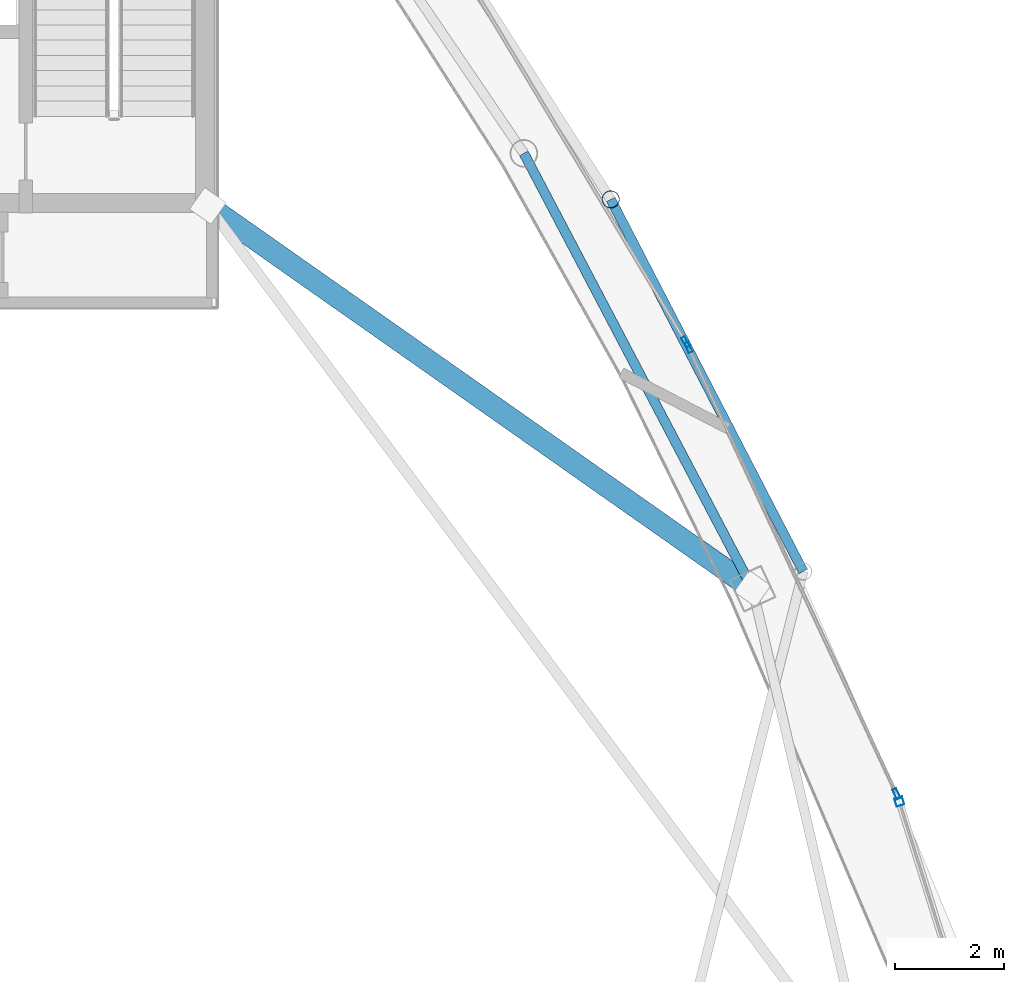
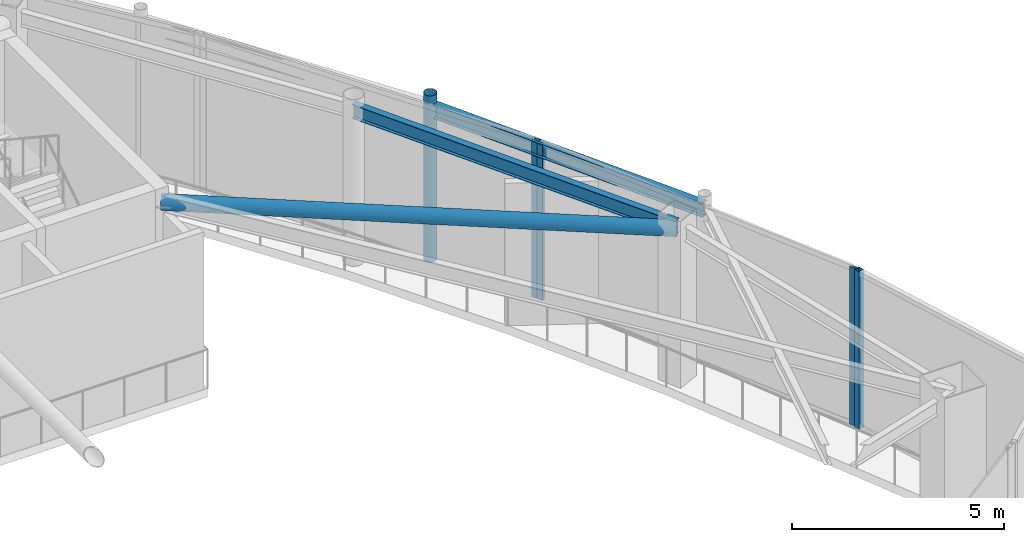
# One storey, part 13 of 20: 6 members, 2 beams, 3 elements without a shape of their own.
"""IFC4 building model written with IfcOpenShell, lengths in metres."""

from ifc_helpers import new_model, si_unit, direction, frame, origin, origin_2d, place, context, subcontext, project, spatial, hollow_rectangle, hollow_circle, i_section, extrude, material, layer, layer_set, material_profile, profile_set, type_object, element, aggregate, save


model = new_model("IFC4")

# Units and contexts
model_context = context("Model", 3, precision=1e-05, world=origin(), true_north=direction((0.0, 1.0)))
body_context = subcontext(model_context, "Body", "Model", "MODEL_VIEW")
ifc_project = project(units=[si_unit("LENGTHUNIT", "METRE"), si_unit("AREAUNIT", "SQUARE_METRE"), si_unit("VOLUMEUNIT", "CUBIC_METRE"), si_unit("PLANEANGLEUNIT", "RADIAN"), si_unit("MASSUNIT", "GRAM", prefix="KILO")], contexts=[model_context])

# Site, building, storey
site_placement = place(None, origin())
site = spatial("IfcSite", under=ifc_project, at=site_placement, CompositionType="ELEMENT")
building_placement = place(site_placement, origin())
building = spatial("IfcBuilding", under=site, at=building_placement, Name="Orvanel Arch Residences", CompositionType="ELEMENT")
storey_placement = place(building_placement, frame((0.0, 0.0, 305.300048828125)))
storey = spatial("IfcBuildingStorey", under=building, at=storey_placement, Name="L85", CompositionType="ELEMENT", Elevation=305.300048828125)

# Curtain wall, member
ifc_material_1 = material(Name="Bronze-anodised aluminium AA6063-T6", Category="aluminium")
ifc_layer = layer(ifc_material_1, 0.2099609375)
ifc_layer_set = layer_set([ifc_layer], Name="Bronze-anodised aluminium AA6063-T6")
curtain_wall_type = type_object("IfcCurtainWallType", Name="CW7-TOP-SYS", PredefinedType="NOTDEFINED", material=ifc_layer_set)
curtain_wall_1_placement = place(storey_placement, origin())
curtain_wall_1 = element("IfcCurtainWall", 1, at=curtain_wall_1_placement, inside=storey, type_object=curtain_wall_type, Name="L85 CW7-TOP-SYS Unitised Curtain Wall", PredefinedType="NOTDEFINED")
ifc_material_profile_1 = material_profile(ifc_material_1, hollow_rectangle(XDim=0.14990234375, YDim=0.14990234375, WallThickness=0.0048828125, at=origin_2d()), Name="ALU150x150x5")
ifc_profile_set_1 = profile_set([ifc_material_profile_1], Name="Bronze-anodised aluminium AA6063-T6")
member_type_1 = type_object("IfcMemberType", Name="MUL-150x150", PredefinedType="MULLION", material=ifc_profile_set_1)
member_1_placement = place(storey_placement, frame((52.330322265625, 15.7294921875, 0.0), z_axis=(0.0, 0.0, 1.0), x_axis=(-0.954283945864, -0.298901573542, 0.0)))
member_1 = element("IfcMember", 2, at=member_1_placement, type_object=member_type_1, Name="CW-S7 mullion 2", PredefinedType="MULLION", context=body_context, shape_type="SweptSolid", body=[
    extrude(hollow_rectangle(XDim=0.14990234375, YDim=0.14990234375, WallThickness=0.0048828125, at=origin_2d()), origin(), (0.0, 0.0, 1.0), 4.550048828125),
])
aggregate(curtain_wall_1, [member_1])

# Curtain wall, members
curtain_wall_2_placement = place(storey_placement, origin())
curtain_wall_2 = element("IfcCurtainWall", 3, at=curtain_wall_2_placement, inside=storey, type_object=curtain_wall_type, Name="L85 CW7-TOP-SYS Unitised Curtain Wall", PredefinedType="NOTDEFINED")
ifc_material_profile_2 = material_profile(ifc_material_1, hollow_rectangle(XDim=0.074951171875, YDim=0.199951171875, WallThickness=0.0048828125, at=origin_2d()), Name="ALU200x75x5")
ifc_profile_set_2 = profile_set([ifc_material_profile_2], Name="Bronze-anodised aluminium AA6063-T6")
member_type_2 = type_object("IfcMemberType", Name="MUL-200x75", PredefinedType="MULLION", material=ifc_profile_set_2)
member_2_placement = place(storey_placement, frame((52.278076171875, 15.8720703125, 0.0), z_axis=(0.0, 0.0, 1.0), x_axis=(-0.906426569511, -0.422363438385, 0.0)))
member_2 = element("IfcMember", 4, at=member_2_placement, type_object=member_type_2, Name="CW-S7 mullion 1", PredefinedType="MULLION", context=body_context, shape_type="SweptSolid", body=[
    extrude(hollow_rectangle(XDim=0.074951171875, YDim=0.199951171875, WallThickness=0.0048828125, at=origin_2d()), origin(), (0.0, 0.0, 1.0), 4.550048828125),
])
member_3_placement = place(storey_placement, frame((48.455810546875, 24.074951171875, 0.0), z_axis=(0.0, 0.0, 1.0), x_axis=(-0.906426569511, -0.422363438385, 0.0)))
member_3 = element("IfcMember", 5, at=member_3_placement, type_object=member_type_2, Name="CW-S7 mullion 2", PredefinedType="MULLION", context=body_context, shape_type="SweptSolid", body=[
    extrude(hollow_rectangle(XDim=0.074951171875, YDim=0.199951171875, WallThickness=0.0048828125, at=origin_2d()), origin(), (0.0, 0.0, 1.0), 4.550048828125),
])
aggregate(curtain_wall_2, [member_2, member_3])

# Curtain wall, member
curtain_wall_3_placement = place(storey_placement, origin())
curtain_wall_3 = element("IfcCurtainWall", 6, at=curtain_wall_3_placement, inside=storey, type_object=curtain_wall_type, Name="L85 CW7-TOP-SYS Unitised Curtain Wall", PredefinedType="NOTDEFINED")
member_4_placement = place(storey_placement, frame((48.402587890625, 24.17626953125, 0.0), z_axis=(0.0, 0.0, 1.0), x_axis=(-0.857522096821, -0.514447133788, 0.0)))
member_4 = element("IfcMember", 7, at=member_4_placement, type_object=member_type_2, Name="CW-S7 mullion 1", PredefinedType="MULLION", context=body_context, shape_type="SweptSolid", body=[
    extrude(hollow_rectangle(XDim=0.074951171875, YDim=0.199951171875, WallThickness=0.0048828125, at=origin_2d()), origin(), (0.0, 0.0, 1.0), 4.550048828125),
])
aggregate(curtain_wall_3, [member_4])

# Beams
ifc_material_2 = material(Name="Structural steel AS/NZS 3679.1 Grade 300 (300 MPa)", Category="steel")
ifc_material_profile_3 = material_profile(ifc_material_2, i_section(OverallWidth=0.177978515625, OverallDepth=0.406005859375, WebThickness=0.0078125, FlangeThickness=0.0126953125, at=origin_2d()), Name="410UB59.7")
ifc_profile_set_3 = profile_set([ifc_material_profile_3], Name="Structural steel AS/NZS 3679.1 Grade 300 (300 MPa)")
beam_type_1 = type_object("IfcBeamType", Name="OB-410UB", PredefinedType="SPANDREL", material=ifc_profile_set_3)
beam_1_placement = place(storey_placement, frame((49.633056640625, 19.64208984375, 4.346923828125), z_axis=(-0.465064762793, 0.885276660942, 0.0), x_axis=(-0.885276660942, -0.465064762793, 0.0)))
element("IfcBeam", 8, at=beam_1_placement, inside=storey, type_object=beam_type_1, Name="L85 Perimeter Spandrel Beam 07", PredefinedType="SPANDREL", context=body_context, shape_type="SweptSolid", body=[
    extrude(i_section(OverallWidth=0.177978515625, OverallDepth=0.406005859375, WebThickness=0.0078125, FlangeThickness=0.0126953125, at=origin_2d()), origin(), (0.0, 0.0, 1.0), 9.03564453125),
])
ifc_material_profile_4 = material_profile(ifc_material_2, i_section(OverallWidth=0.177978515625, OverallDepth=0.406005859375, WebThickness=0.0078125, FlangeThickness=0.0126953125, at=origin_2d()), Name="410UB59.7")
ifc_profile_set_4 = profile_set([ifc_material_profile_4], Name="Structural steel AS/NZS 3679.1 Grade 300 (300 MPa)")
beam_type_2 = type_object("IfcBeamType", Name="OB-410UB-EXT", PredefinedType="SPANDREL", material=ifc_profile_set_4)
beam_2_placement = place(storey_placement, frame((50.56396484375, 19.9580078125, 4.346923828125), z_axis=(-0.459425507077, 0.888216304425, 0.0), x_axis=(-0.888216304425, -0.459425507077, 0.0)))
element("IfcBeam", 9, at=beam_2_placement, inside=storey, type_object=beam_type_2, Name="L85 Outer Perimeter Floor Ring Beam 09", PredefinedType="SPANDREL", context=body_context, shape_type="SweptSolid", body=[
    extrude(i_section(OverallWidth=0.177978515625, OverallDepth=0.406005859375, WebThickness=0.0078125, FlangeThickness=0.0126953125, at=origin_2d()), origin(), (0.0, 0.0, 1.0), 7.698486328125),
])

# Members
ifc_material_3 = material(Name="Structural steel AS/NZS 1163 C350L0 (Grade 350)", Category="steel")
ifc_material_profile_5 = material_profile(ifc_material_3, hollow_circle(Radius=0.202880859375, WallThickness=0.01611328125, at=origin_2d()), Name="CHS406x16")
ifc_profile_set_5 = profile_set([ifc_material_profile_5], Name="Structural steel AS/NZS 1163 C350L0 (Grade 350)")
member_type_3 = type_object("IfcMemberType", Name="RF-406CHS", PredefinedType="RAFTER", material=ifc_profile_set_5)
member_5_placement = place(storey_placement, frame((39.625, 26.675048828125, 4.300048828125), z_axis=(0.818181292645, -0.574960322427, 0.0), x_axis=(0.574960322427, 0.818181292645, 0.0)))
element("IfcMember", 10, at=member_5_placement, inside=storey, type_object=member_type_3, Name="L85 Winter-Garden Conservatory Gallery Rafter 02", PredefinedType="RAFTER", context=body_context, shape_type="SweptSolid", body=[
    extrude(hollow_circle(Radius=0.202880859375, WallThickness=0.01611328125, at=origin_2d()), origin(), (0.0, 0.0, 1.0), 12.232177734375),
])
ifc_material_profile_6 = material_profile(ifc_material_3, hollow_circle(Radius=0.162109375, WallThickness=0.0126953125, at=origin_2d()), Name="CHS324x12.7")
ifc_profile_set_6 = profile_set([ifc_material_profile_6], Name="Structural steel AS/NZS 1163 C350L0 (Grade 350)")
member_type_4 = type_object("IfcMemberType", Name="ST-324CHS-EXT", PredefinedType="STRUT", material=ifc_profile_set_6)
member_6_placement = place(storey_placement, frame((47.027099609375, 26.7958984375, 0.0), z_axis=(0.0, 0.0, 1.0), x_axis=(1.0, 0.0, 0.0)))
element("IfcMember", 11, at=member_6_placement, inside=storey, type_object=member_type_4, Name="L85 Outer Perimeter Frame Post 10", PredefinedType="STRUT", context=body_context, shape_type="SweptSolid", body=[
    extrude(hollow_circle(Radius=0.162109375, WallThickness=0.0126953125, at=origin_2d()), origin(), (0.0, 0.0, 1.0), 4.800048828125),
])

save(model, "model.ifc")
